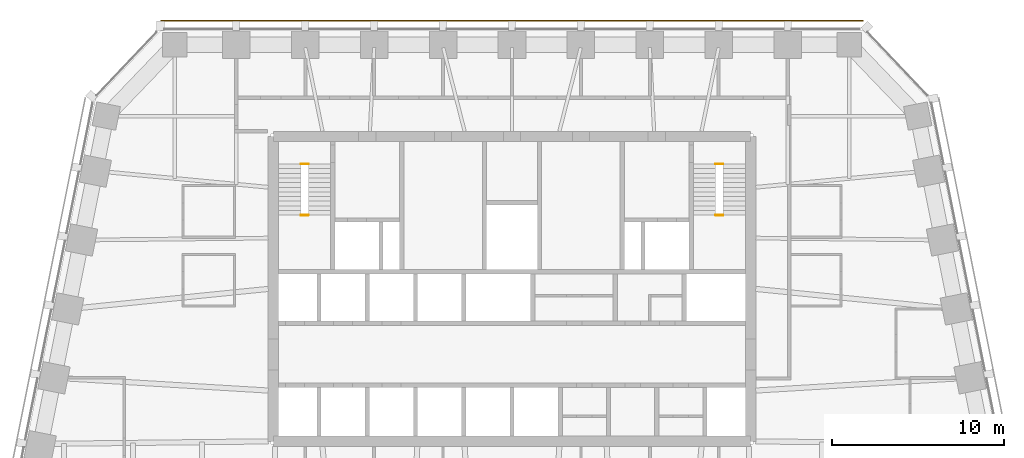
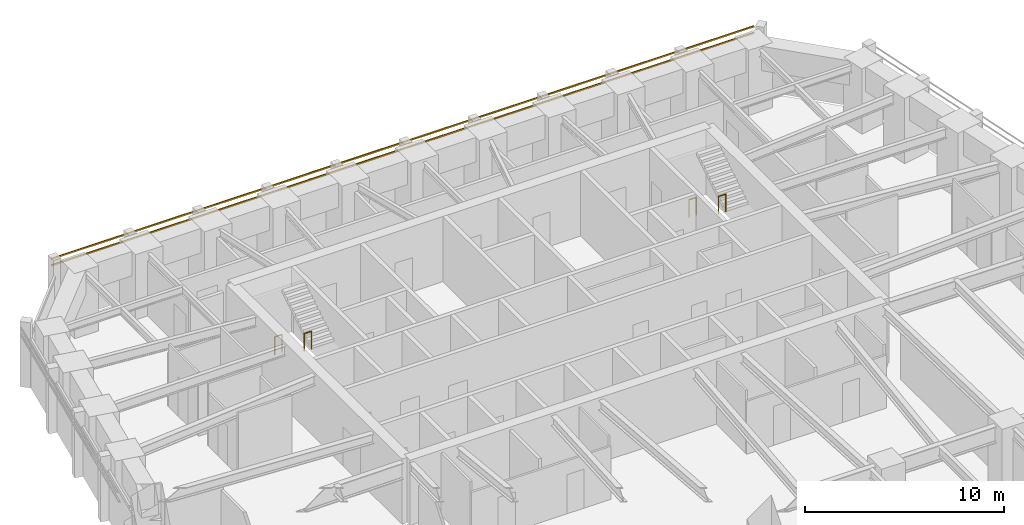
# One storey, part 10 of 10: 4 railings, 2 shading devices.
"""IFC4 building model written with IfcOpenShell, lengths in metres."""

from ifc_helpers import new_model, si_unit, direction, frame, origin, origin_2d, place, context, subcontext, project, spatial, rectangle, circle, extrude, material, material_profile, profile_set, type_object, element, save


model = new_model("IFC4")

# Units and contexts
model_context = context("Model", 3, precision=1e-05, world=origin(), true_north=direction((0.0, 1.0)))
body_context = subcontext(model_context, "Body", "Model", "MODEL_VIEW")
ifc_project = project(units=[si_unit("LENGTHUNIT", "METRE"), si_unit("AREAUNIT", "SQUARE_METRE"), si_unit("VOLUMEUNIT", "CUBIC_METRE"), si_unit("PLANEANGLEUNIT", "RADIAN"), si_unit("MASSUNIT", "GRAM", prefix="KILO")], contexts=[model_context])

# Site, building, storey
site_placement = place(None, origin())
site = spatial("IfcSite", under=ifc_project, at=site_placement, CompositionType="ELEMENT")
building_placement = place(site_placement, origin())
building = spatial("IfcBuilding", under=site, at=building_placement, Name="Isbrekke Arena Tower", CompositionType="ELEMENT")
storey_placement = place(building_placement, frame((0.0, 0.0, 214.0)))
storey = spatial("IfcBuildingStorey", under=building, at=storey_placement, Name="L49", CompositionType="ELEMENT", Elevation=214.0)

# Shading devices
ifc_material_1 = material(Name="Terracotta", Category="masonry")
ifc_material_profile = material_profile(ifc_material_1, rectangle(XDim=0.06005859375, YDim=0.06005859375, at=origin_2d()), Name="BAGUETTE 60X60")
ifc_profile_set = profile_set([ifc_material_profile], Name="Terracotta")
shading_device_type = type_object("IfcShadingDeviceType", Name="BG1 TERRACOTTA BAGUETTE 60 x 60", PredefinedType="USERDEFINED", material=ifc_profile_set)
for number, where, z_axis, x_axis, name in (
    (1, (20.39990234375, 30.580078125, 3.280029296875), (-1.0, 0.0, 0.0), (0.0, -1.0, 0.0), "BG1 terracotta baguette N1 L49"),
    (2, (20.39990234375, 30.580078125, 3.679931640625), (-1.0, 0.0, 0.0), (0.0, -1.0, 0.0), "BG1 terracotta baguette N2 L49"),
):
    element("IfcShadingDevice", number, at=place(storey_placement, frame(where, z_axis=z_axis, x_axis=x_axis)), inside=storey, type_object=shading_device_type, Name=name, ObjectType="TERRACOTTA BAGUETTE", PredefinedType="USERDEFINED", context=body_context, shape_type="SweptSolid", body=[
        extrude(rectangle(XDim=0.06005859375, YDim=0.06005859375, at=origin_2d()), origin(), (0.0, 0.0, 1.0), 40.7998046875),
    ])

# Railings
ifc_material_2 = material(Name="Steel stair guard, vertical bars, steel handrail", Category="steel")
railing_type = type_object("IfcRailingType", Name="GR3 STAIR WELL GUARD 1100", PredefinedType="GUARDRAIL", material=ifc_material_2)
for number, where, name in (
    (3, (-12.25, 22.25, 0.0), "GR3 stair well guard ST1 L49"),
    (4, (-12.25, 19.280029296875, 2.0), "GR3 stair well guard ST1 L49"),
    (5, (11.824951171875, 22.25, 0.0), "GR3 stair well guard ST2 L49"),
    (6, (11.824951171875, 19.280029296875, 2.0), "GR3 stair well guard ST2 L49"),
):
    element("IfcRailing", number, at=place(storey_placement, frame(where)), inside=storey, type_object=railing_type, Name=name, PredefinedType="GUARDRAIL", context=body_context, shape_type="SweptSolid", body=[
        extrude(circle(Radius=0.02392578125, at=origin_2d()), frame((0.0, 0.0, 1.076171875), z_axis=(1.0, 0.0, 0.0), x_axis=(0.0, 1.0, 0.0)), (0.0, 0.0, 1.0), 0.425048828125),
        extrude(circle(Radius=0.02099609375, at=origin_2d()), origin(), (0.0, 0.0, 1.0), 1.052001953125),
        extrude(circle(Radius=0.02099609375, at=origin_2d()), frame((0.425048828125, 0.0, 0.0)), (0.0, 0.0, 1.0), 1.052001953125),
    ])

save(model, "model.ifc")
